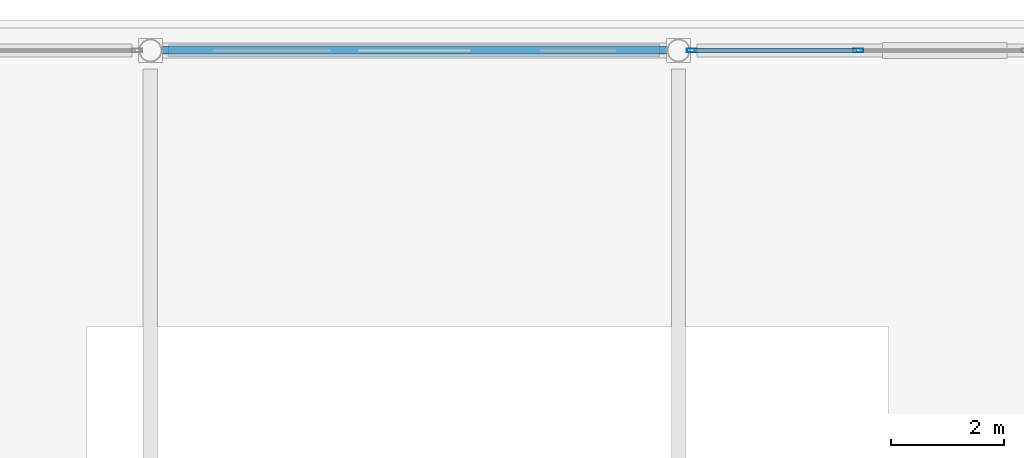
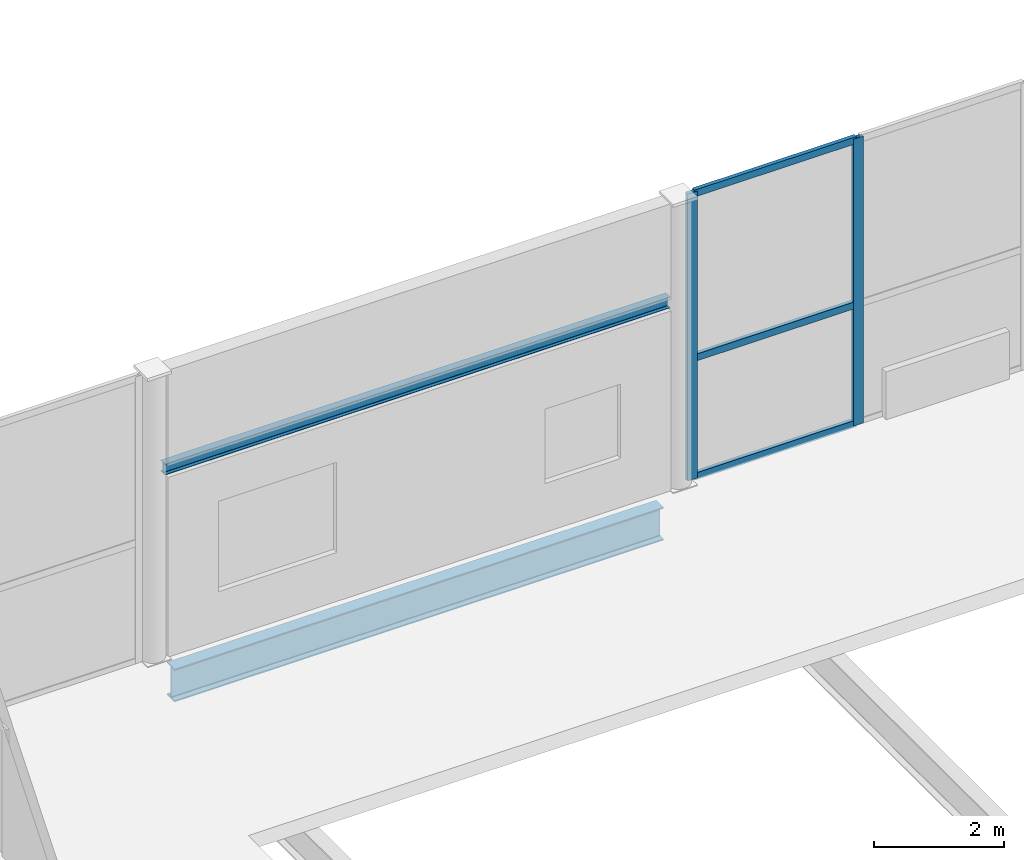
# One storey, part 46 of 83: 5 members, 2 beams, 1 element without a shape of its own.
"""IFC4 building model written with IfcOpenShell, lengths in metres."""

from ifc_helpers import new_model, si_unit, direction, frame, origin, origin_2d, place, context, subcontext, project, spatial, hollow_rectangle, i_section, extrude, material, layer, layer_set, material_profile, profile_set, type_object, element, aggregate, save


model = new_model("IFC4")

# Units and contexts
model_context = context("Model", 3, precision=1e-05, world=origin(), true_north=direction((0.0, 1.0)))
body_context = subcontext(model_context, "Body", "Model", "MODEL_VIEW")
ifc_project = project(units=[si_unit("LENGTHUNIT", "METRE"), si_unit("AREAUNIT", "SQUARE_METRE"), si_unit("VOLUMEUNIT", "CUBIC_METRE"), si_unit("PLANEANGLEUNIT", "RADIAN"), si_unit("MASSUNIT", "GRAM", prefix="KILO")], contexts=[model_context])

# Site, building, storey
site_placement = place(None, origin())
site = spatial("IfcSite", under=ifc_project, at=site_placement, CompositionType="ELEMENT")
building_placement = place(site_placement, origin())
building = spatial("IfcBuilding", under=site, at=building_placement, Name="Quillay Park Conservatory", CompositionType="ELEMENT")
storey_placement = place(building_placement, origin())
storey = spatial("IfcBuildingStorey", under=building, at=storey_placement, Name="L00", CompositionType="ELEMENT", Elevation=0.0)

# Curtain wall, members
ifc_material_1 = material(Name="Thermally Broken Anodised Aluminium 6063-T6", Category="aluminium")
ifc_layer = layer(ifc_material_1, 0.219970703125)
ifc_layer_set = layer_set([ifc_layer], Name="UNITISED CURTAIN WALL CONSERVATORY (Thermally Broken Anodised Aluminium 6063-T6)")
curtain_wall_type = type_object("IfcCurtainWallType", Name="UNITISED CURTAIN WALL CONSERVATORY", PredefinedType="USERDEFINED", material=ifc_layer_set)
curtain_wall_placement = place(storey_placement, origin())
curtain_wall = element("IfcCurtainWall", 1, at=curtain_wall_placement, inside=storey, type_object=curtain_wall_type, Name="L00 Unitised Curtain Wall 157", ObjectType="UNITISED CURTAIN WALL", PredefinedType="USERDEFINED")
ifc_material_2 = material(Name="Thermally Broken Anodised Aluminium 6063-T6", Category="aluminium")
ifc_material_profile_1 = material_profile(ifc_material_2, hollow_rectangle(XDim=0.070068359375, YDim=0.179931640625, WallThickness=0.00390625, at=origin_2d()), Name="AL70x180x4")
ifc_profile_set_1 = profile_set([ifc_material_profile_1], Name="Thermally Broken Anodised Aluminium 6063-T6")
member_type_1 = type_object("IfcMemberType", Name="CURTAIN WALL MULLION 70 X180", PredefinedType="MULLION", material=ifc_profile_set_1)
member_1_placement = place(storey_placement, frame((87.020263671875, 113.39990234375, 0.0), z_axis=(0.0, 0.0, 1.0), x_axis=(0.0, 1.0, 0.0)))
member_1 = element("IfcMember", 2, at=member_1_placement, type_object=member_type_1, Name="CW-C1 mullion 1", PredefinedType="MULLION", context=body_context, shape_type="SweptSolid", body=[
    extrude(hollow_rectangle(XDim=0.070068359375, YDim=0.179931640625, WallThickness=0.00390625, at=origin_2d()), origin(), (0.0, 0.0, 1.0), 5.39990234375),
])
member_2_placement = place(storey_placement, frame((89.96923828125, 113.39990234375, 0.0), z_axis=(0.0, 0.0, 1.0), x_axis=(0.0, 1.0, 0.0)))
member_2 = element("IfcMember", 3, at=member_2_placement, type_object=member_type_1, Name="CW-C1 mullion 2", PredefinedType="MULLION", context=body_context, shape_type="SweptSolid", body=[
    extrude(hollow_rectangle(XDim=0.070068359375, YDim=0.179931640625, WallThickness=0.00390625, at=origin_2d()), origin(), (0.0, 0.0, 1.0), 5.39990234375),
])
ifc_material_3 = material(Name="Thermally Broken Anodised Aluminium 6063-T6", Category="aluminium")
ifc_material_profile_2 = material_profile(ifc_material_3, hollow_rectangle(XDim=0.070068359375, YDim=0.1298828125, WallThickness=0.003173828125, at=origin_2d()), Name="AL70x130x3.2")
ifc_profile_set_2 = profile_set([ifc_material_profile_2], Name="Thermally Broken Anodised Aluminium 6063-T6")
member_type_2 = type_object("IfcMemberType", Name="CURTAIN WALL TRANSOM 70 X130", PredefinedType="USERDEFINED", material=ifc_profile_set_2)
member_3_placement = place(storey_placement, frame((87.055419921875, 113.39990234375, 0.034912109375), z_axis=(1.0, 0.0, 0.0), x_axis=(0.0, 1.0, 0.0)))
member_3 = element("IfcMember", 4, at=member_3_placement, type_object=member_type_2, Name="CW-C1 transom 1.1", ObjectType="TRANSOM", PredefinedType="USERDEFINED", context=body_context, shape_type="SweptSolid", body=[
    extrude(hollow_rectangle(XDim=0.070068359375, YDim=0.1298828125, WallThickness=0.003173828125, at=origin_2d()), origin(), (0.0, 0.0, 1.0), 2.878662109375),
])
member_4_placement = place(storey_placement, frame((87.055419921875, 113.39990234375, 2.26806640625), z_axis=(1.0, 0.0, 0.0), x_axis=(0.0, 1.0, 0.0)))
member_4 = element("IfcMember", 5, at=member_4_placement, type_object=member_type_2, Name="CW-C1 transom 1.2", ObjectType="TRANSOM", PredefinedType="USERDEFINED", context=body_context, shape_type="SweptSolid", body=[
    extrude(hollow_rectangle(XDim=0.070068359375, YDim=0.1298828125, WallThickness=0.003173828125, at=origin_2d()), origin(), (0.0, 0.0, 1.0), 2.878662109375),
])
member_5_placement = place(storey_placement, frame((87.055419921875, 113.39990234375, 5.364990234375), z_axis=(1.0, 0.0, 0.0), x_axis=(0.0, 1.0, 0.0)))
member_5 = element("IfcMember", 6, at=member_5_placement, type_object=member_type_2, Name="CW-C1 transom 1.3", ObjectType="TRANSOM", PredefinedType="USERDEFINED", context=body_context, shape_type="SweptSolid", body=[
    extrude(hollow_rectangle(XDim=0.070068359375, YDim=0.1298828125, WallThickness=0.003173828125, at=origin_2d()), origin(), (0.0, 0.0, 1.0), 2.878662109375),
])
aggregate(curtain_wall, [member_1, member_2, member_3, member_4, member_5])

# Beams
ifc_material_4 = material(Name="Steel ASTM A992 Grade 50", Category="steel")
ifc_material_profile_3 = material_profile(ifc_material_4, i_section(OverallWidth=0.133056640625, OverallDepth=0.20703125, WebThickness=0.005859375, FlangeThickness=0.00830078125, FilletRadius=0.008056640625, at=origin_2d()), Name="W200x27")
ifc_profile_set_3 = profile_set([ifc_material_profile_3], Name="Steel ASTM A992 Grade 50")
beam_type_1 = type_object("IfcBeamType", Name="OPENING LINTEL BEAM W200 X27", PredefinedType="LINTEL", material=ifc_profile_set_3)
beam_1_placement = place(storey_placement, frame((77.60791015625, 113.39990234375, 3.49658203125), z_axis=(1.0, 0.0, 0.0), x_axis=(0.0, 1.0, 0.0)))
element("IfcBeam", 7, at=beam_1_placement, inside=storey, type_object=beam_type_1, Name="L00 beam BM-LNT-1600", PredefinedType="LINTEL", context=body_context, shape_type="SweptSolid", body=[
    extrude(i_section(OverallWidth=0.133056640625, OverallDepth=0.20703125, WebThickness=0.005859375, FlangeThickness=0.00830078125, FilletRadius=0.008056640625, at=origin_2d()), origin(), (0.0, 0.0, 1.0), 8.995361328125),
])
ifc_material_5 = material(Name="Steel ASTM A992 Grade 50", Category="steel")
ifc_material_profile_4 = material_profile(ifc_material_5, i_section(OverallWidth=0.22998046875, OverallDepth=0.616943359375, WebThickness=0.01318359375, FlangeThickness=0.022216796875, FilletRadius=0.014892578125, at=origin_2d()), Name="W610x140")
ifc_profile_set_4 = profile_set([ifc_material_profile_4], Name="Steel ASTM A992 Grade 50")
beam_type_2 = type_object("IfcBeamType", Name="PRIMARY FLOOR GIRDER W610 X140", PredefinedType="BEAM", material=ifc_profile_set_4)
beam_2_placement = place(storey_placement, frame((77.752685546875, 113.39990234375, -0.58837890625), z_axis=(1.0, 0.0, 0.0), x_axis=(0.0, 1.0, 0.0)))
element("IfcBeam", 8, at=beam_2_placement, inside=storey, type_object=beam_type_2, Name="L00 beam BM-V1L0-1625", PredefinedType="BEAM", context=body_context, shape_type="SweptSolid", body=[
    extrude(i_section(OverallWidth=0.22998046875, OverallDepth=0.616943359375, WebThickness=0.01318359375, FlangeThickness=0.022216796875, FilletRadius=0.014892578125, at=origin_2d()), origin(), (0.0, 0.0, 1.0), 8.70556640625),
])

save(model, "model.ifc")
